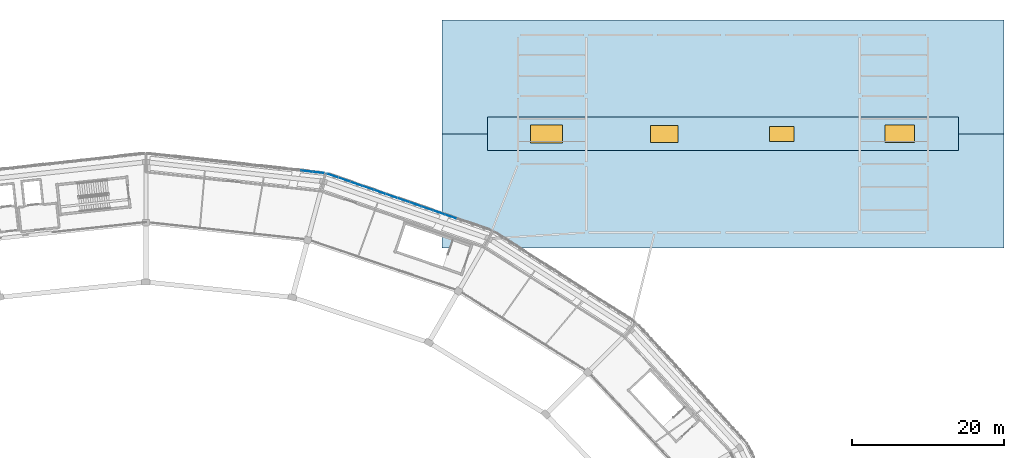
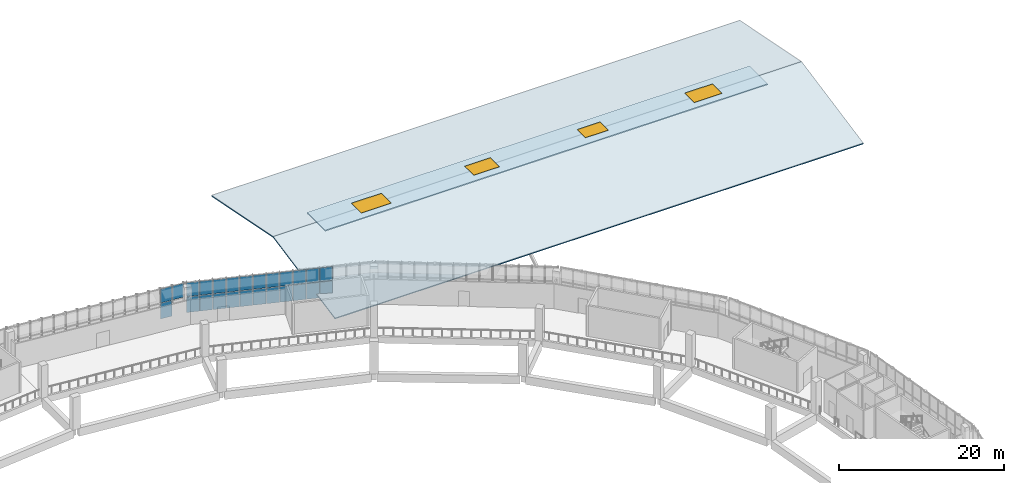
# One storey, part 65 of 108: 25 plates, 4 windows, 3 slabs, 4 openings, 2 elements without a shape of their own.
"""IFC4 building model written with IfcOpenShell, lengths in metres."""

from ifc_helpers import new_model, si_unit, direction, frame, origin, origin_2d, place, context, subcontext, project, spatial, polyline, rectangle, outline, extrude, material, layer, layer_set, type_object, element, fill, aggregate, save


model = new_model("IFC4")

# Units and contexts
model_context = context("Model", 3, precision=1e-05, world=origin(), true_north=direction((0.0, 1.0)))
body_context = subcontext(model_context, "Body", "Model", "MODEL_VIEW")
ifc_project = project(units=[si_unit("LENGTHUNIT", "METRE"), si_unit("AREAUNIT", "SQUARE_METRE"), si_unit("VOLUMEUNIT", "CUBIC_METRE"), si_unit("PLANEANGLEUNIT", "RADIAN"), si_unit("MASSUNIT", "GRAM", prefix="KILO")], contexts=[model_context])

# Site, building, storey
site_placement = place(None, origin())
site = spatial("IfcSite", under=ifc_project, at=site_placement, CompositionType="ELEMENT")
building_placement = place(site_placement, origin())
building = spatial("IfcBuilding", under=site, at=building_placement, Name="Zevraka Park Crest Stadium", CompositionType="ELEMENT")
storey_placement = place(building_placement, frame((0.0, 0.0, 19.800048828125)))
storey = spatial("IfcBuildingStorey", under=building, at=storey_placement, Name="L04", CompositionType="ELEMENT", Elevation=19.800048828125)

# Curtain wall, plates
ifc_material_1 = material(Name="Anodised architectural aluminium and laminated safety glass", Category="aluminium")
curtain_wall_type_1 = type_object("IfcCurtainWallType", Name="CW16", PredefinedType="NOTDEFINED", material=ifc_material_1)
curtain_wall_1_placement = place(storey_placement, origin())
curtain_wall_1 = element("IfcCurtainWall", 1, at=curtain_wall_1_placement, inside=storey, type_object=curtain_wall_type_1, Name="Unitised Ring Curtain Wall CW16 L04-05", PredefinedType="NOTDEFINED")
ifc_material_2 = material(Name="Solar-control laminated double glazing", Category="glass")
ifc_layer_1 = layer(ifc_material_2, 0.031982421875)
ifc_layer_set_1 = layer_set([ifc_layer_1], Name="Solar-control laminated double glazing")
plate_type_1 = type_object("IfcPlateType", Name="CP16", PredefinedType="CURTAIN_PANEL", material=ifc_layer_set_1)
plate_1_placement = place(storey_placement, frame((134.739013671875, 165.91650390625, 2.4296875), z_axis=(0.0, 0.0, 1.0), x_axis=(-0.993997152844, 0.109405941967, 0.0)))
plate_1 = element("IfcPlate", 2, at=plate_1_placement, type_object=plate_type_1, Name="CW16 panel 1.2", PredefinedType="CURTAIN_PANEL", context=body_context, shape_type="SweptSolid", body=[
    extrude(rectangle(XDim=1.479736328125, YDim=0.031982421875, at=origin_2d()), origin(), (0.0, 0.0, 1.0), 2.050048828125),
])
plate_2_placement = place(storey_placement, frame((133.193603515625, 166.086669921875, 0.059814453125), z_axis=(0.0, 0.0, 1.0), x_axis=(-0.993997152844, 0.109405941967, 0.0)))
plate_2 = element("IfcPlate", 3, at=plate_2_placement, type_object=plate_type_1, Name="CW16 panel 2.1", PredefinedType="CURTAIN_PANEL", context=body_context, shape_type="SweptSolid", body=[
    extrude(rectangle(XDim=1.509765625, YDim=0.031982421875, at=origin_2d()), origin(), (0.0, 0.0, 1.0), 2.31005859375),
])
plate_3_placement = place(storey_placement, frame((133.193603515625, 166.086669921875, 2.4296875), z_axis=(0.0, 0.0, 1.0), x_axis=(-0.993997152844, 0.109405941967, 0.0)))
plate_3 = element("IfcPlate", 4, at=plate_3_placement, type_object=plate_type_1, Name="CW16 panel 2.2", PredefinedType="CURTAIN_PANEL", context=body_context, shape_type="SweptSolid", body=[
    extrude(rectangle(XDim=1.509765625, YDim=0.031982421875, at=origin_2d()), origin(), (0.0, 0.0, 1.0), 2.050048828125),
])
aggregate(curtain_wall_1, [plate_1, plate_2, plate_3])

ifc_material_3 = material(Name="Anodised architectural aluminium and laminated safety glass", Category="aluminium")
curtain_wall_type_2 = type_object("IfcCurtainWallType", Name="CW17", PredefinedType="NOTDEFINED", material=ifc_material_3)
curtain_wall_2_placement = place(storey_placement, origin())
curtain_wall_2 = element("IfcCurtainWall", 5, at=curtain_wall_2_placement, inside=storey, type_object=curtain_wall_type_2, Name="Unitised Ring Curtain Wall CW17 L04-04", PredefinedType="NOTDEFINED")
ifc_material_4 = material(Name="Solar-control laminated double glazing", Category="glass")
ifc_layer_2 = layer(ifc_material_4, 0.031982421875)
ifc_layer_set_2 = layer_set([ifc_layer_2], Name="Solar-control laminated double glazing")
plate_type_2 = type_object("IfcPlateType", Name="CP17", PredefinedType="CURTAIN_PANEL", material=ifc_layer_set_2)
plate_4_placement = place(storey_placement, frame((152.14111328125, 160.108642578125, 0.06494140625), z_axis=(0.0, 0.0, 1.0), x_axis=(-0.944939691816, 0.327244524523, 0.0)))
plate_4 = element("IfcPlate", 6, at=plate_4_placement, type_object=plate_type_2, Name="CW17 panel 4.1", PredefinedType="CURTAIN_PANEL", context=body_context, shape_type="SweptSolid", body=[
    extrude(rectangle(XDim=1.583251953125, YDim=0.031982421875, at=origin_2d()), origin(), (0.0, 0.0, 1.0), 2.302490234375),
])
plate_5_placement = place(storey_placement, frame((152.14111328125, 160.108642578125, 2.432373046875), z_axis=(0.0, 0.0, 1.0), x_axis=(-0.944939691816, 0.327244524523, 0.0)))
plate_5 = element("IfcPlate", 7, at=plate_5_placement, type_object=plate_type_2, Name="CW17 panel 4.2", PredefinedType="CURTAIN_PANEL", context=body_context, shape_type="SweptSolid", body=[
    extrude(rectangle(XDim=1.583251953125, YDim=0.031982421875, at=origin_2d()), origin(), (0.0, 0.0, 1.0), 2.04248046875),
])
plate_6_placement = place(storey_placement, frame((150.58349609375, 160.648193359375, 0.06494140625), z_axis=(0.0, 0.0, 1.0), x_axis=(-0.944939691816, 0.327244524523, 0.0)))
plate_6 = element("IfcPlate", 8, at=plate_6_placement, type_object=plate_type_2, Name="CW17 panel 5.1", PredefinedType="CURTAIN_PANEL", context=body_context, shape_type="SweptSolid", body=[
    extrude(rectangle(XDim=1.583251953125, YDim=0.031982421875, at=origin_2d()), origin(), (0.0, 0.0, 1.0), 2.302490234375),
])
plate_7_placement = place(storey_placement, frame((150.58349609375, 160.648193359375, 2.432373046875), z_axis=(0.0, 0.0, 1.0), x_axis=(-0.944939691816, 0.327244524523, 0.0)))
plate_7 = element("IfcPlate", 9, at=plate_7_placement, type_object=plate_type_2, Name="CW17 panel 5.2", PredefinedType="CURTAIN_PANEL", context=body_context, shape_type="SweptSolid", body=[
    extrude(rectangle(XDim=1.583251953125, YDim=0.031982421875, at=origin_2d()), origin(), (0.0, 0.0, 1.0), 2.04248046875),
])
plate_8_placement = place(storey_placement, frame((149.026123046875, 161.1875, 0.06494140625), z_axis=(0.0, 0.0, 1.0), x_axis=(-0.944939691816, 0.327244524523, 0.0)))
plate_8 = element("IfcPlate", 10, at=plate_8_placement, type_object=plate_type_2, Name="CW17 panel 6.1", PredefinedType="CURTAIN_PANEL", context=body_context, shape_type="SweptSolid", body=[
    extrude(rectangle(XDim=1.583251953125, YDim=0.031982421875, at=origin_2d()), origin(), (0.0, 0.0, 1.0), 2.302490234375),
])
plate_9_placement = place(storey_placement, frame((149.026123046875, 161.1875, 2.432373046875), z_axis=(0.0, 0.0, 1.0), x_axis=(-0.944939691816, 0.327244524523, 0.0)))
plate_9 = element("IfcPlate", 11, at=plate_9_placement, type_object=plate_type_2, Name="CW17 panel 6.2", PredefinedType="CURTAIN_PANEL", context=body_context, shape_type="SweptSolid", body=[
    extrude(rectangle(XDim=1.583251953125, YDim=0.031982421875, at=origin_2d()), origin(), (0.0, 0.0, 1.0), 2.04248046875),
])
plate_10_placement = place(storey_placement, frame((147.46875, 161.726806640625, 0.06494140625), z_axis=(0.0, 0.0, 1.0), x_axis=(-0.944939691816, 0.327244524523, 0.0)))
plate_10 = element("IfcPlate", 12, at=plate_10_placement, type_object=plate_type_2, Name="CW17 panel 7.1", PredefinedType="CURTAIN_PANEL", context=body_context, shape_type="SweptSolid", body=[
    extrude(rectangle(XDim=1.583251953125, YDim=0.031982421875, at=origin_2d()), origin(), (0.0, 0.0, 1.0), 2.302490234375),
])
plate_11_placement = place(storey_placement, frame((147.46875, 161.726806640625, 2.432373046875), z_axis=(0.0, 0.0, 1.0), x_axis=(-0.944939691816, 0.327244524523, 0.0)))
plate_11 = element("IfcPlate", 13, at=plate_11_placement, type_object=plate_type_2, Name="CW17 panel 7.2", PredefinedType="CURTAIN_PANEL", context=body_context, shape_type="SweptSolid", body=[
    extrude(rectangle(XDim=1.583251953125, YDim=0.031982421875, at=origin_2d()), origin(), (0.0, 0.0, 1.0), 2.04248046875),
])
plate_12_placement = place(storey_placement, frame((145.911376953125, 162.26611328125, 0.06494140625), z_axis=(0.0, 0.0, 1.0), x_axis=(-0.944939691816, 0.327244524523, 0.0)))
plate_12 = element("IfcPlate", 14, at=plate_12_placement, type_object=plate_type_2, Name="CW17 panel 8.1", PredefinedType="CURTAIN_PANEL", context=body_context, shape_type="SweptSolid", body=[
    extrude(rectangle(XDim=1.583251953125, YDim=0.031982421875, at=origin_2d()), origin(), (0.0, 0.0, 1.0), 2.302490234375),
])
plate_13_placement = place(storey_placement, frame((145.911376953125, 162.26611328125, 2.432373046875), z_axis=(0.0, 0.0, 1.0), x_axis=(-0.944939691816, 0.327244524523, 0.0)))
plate_13 = element("IfcPlate", 15, at=plate_13_placement, type_object=plate_type_2, Name="CW17 panel 8.2", PredefinedType="CURTAIN_PANEL", context=body_context, shape_type="SweptSolid", body=[
    extrude(rectangle(XDim=1.583251953125, YDim=0.031982421875, at=origin_2d()), origin(), (0.0, 0.0, 1.0), 2.04248046875),
])
plate_14_placement = place(storey_placement, frame((144.353759765625, 162.805419921875, 0.06494140625), z_axis=(0.0, 0.0, 1.0), x_axis=(-0.944939691816, 0.327244524523, 0.0)))
plate_14 = element("IfcPlate", 16, at=plate_14_placement, type_object=plate_type_2, Name="CW17 panel 9.1", PredefinedType="CURTAIN_PANEL", context=body_context, shape_type="SweptSolid", body=[
    extrude(rectangle(XDim=1.583251953125, YDim=0.031982421875, at=origin_2d()), origin(), (0.0, 0.0, 1.0), 2.302490234375),
])
plate_15_placement = place(storey_placement, frame((144.353759765625, 162.805419921875, 2.432373046875), z_axis=(0.0, 0.0, 1.0), x_axis=(-0.944939691816, 0.327244524523, 0.0)))
plate_15 = element("IfcPlate", 17, at=plate_15_placement, type_object=plate_type_2, Name="CW17 panel 9.2", PredefinedType="CURTAIN_PANEL", context=body_context, shape_type="SweptSolid", body=[
    extrude(rectangle(XDim=1.583251953125, YDim=0.031982421875, at=origin_2d()), origin(), (0.0, 0.0, 1.0), 2.04248046875),
])
plate_16_placement = place(storey_placement, frame((142.79638671875, 163.344970703125, 0.06494140625), z_axis=(0.0, 0.0, 1.0), x_axis=(-0.944939691816, 0.327244524523, 0.0)))
plate_16 = element("IfcPlate", 18, at=plate_16_placement, type_object=plate_type_2, Name="CW17 panel 10.1", PredefinedType="CURTAIN_PANEL", context=body_context, shape_type="SweptSolid", body=[
    extrude(rectangle(XDim=1.583251953125, YDim=0.031982421875, at=origin_2d()), origin(), (0.0, 0.0, 1.0), 2.302490234375),
])
plate_17_placement = place(storey_placement, frame((142.79638671875, 163.344970703125, 2.432373046875), z_axis=(0.0, 0.0, 1.0), x_axis=(-0.944939691816, 0.327244524523, 0.0)))
plate_17 = element("IfcPlate", 19, at=plate_17_placement, type_object=plate_type_2, Name="CW17 panel 10.2", PredefinedType="CURTAIN_PANEL", context=body_context, shape_type="SweptSolid", body=[
    extrude(rectangle(XDim=1.583251953125, YDim=0.031982421875, at=origin_2d()), origin(), (0.0, 0.0, 1.0), 2.04248046875),
])
plate_18_placement = place(storey_placement, frame((141.239013671875, 163.88427734375, 0.06494140625), z_axis=(0.0, 0.0, 1.0), x_axis=(-0.944939691816, 0.327244524523, 0.0)))
plate_18 = element("IfcPlate", 20, at=plate_18_placement, type_object=plate_type_2, Name="CW17 panel 11.1", PredefinedType="CURTAIN_PANEL", context=body_context, shape_type="SweptSolid", body=[
    extrude(rectangle(XDim=1.583251953125, YDim=0.031982421875, at=origin_2d()), origin(), (0.0, 0.0, 1.0), 2.302490234375),
])
plate_19_placement = place(storey_placement, frame((141.239013671875, 163.88427734375, 2.432373046875), z_axis=(0.0, 0.0, 1.0), x_axis=(-0.944939691816, 0.327244524523, 0.0)))
plate_19 = element("IfcPlate", 21, at=plate_19_placement, type_object=plate_type_2, Name="CW17 panel 11.2", PredefinedType="CURTAIN_PANEL", context=body_context, shape_type="SweptSolid", body=[
    extrude(rectangle(XDim=1.583251953125, YDim=0.031982421875, at=origin_2d()), origin(), (0.0, 0.0, 1.0), 2.04248046875),
])
plate_20_placement = place(storey_placement, frame((139.681640625, 164.423583984375, 0.06494140625), z_axis=(0.0, 0.0, 1.0), x_axis=(-0.944939691816, 0.327244524523, 0.0)))
plate_20 = element("IfcPlate", 22, at=plate_20_placement, type_object=plate_type_2, Name="CW17 panel 12.1", PredefinedType="CURTAIN_PANEL", context=body_context, shape_type="SweptSolid", body=[
    extrude(rectangle(XDim=1.583251953125, YDim=0.031982421875, at=origin_2d()), origin(), (0.0, 0.0, 1.0), 2.302490234375),
])
plate_21_placement = place(storey_placement, frame((139.681640625, 164.423583984375, 2.432373046875), z_axis=(0.0, 0.0, 1.0), x_axis=(-0.944939691816, 0.327244524523, 0.0)))
plate_21 = element("IfcPlate", 23, at=plate_21_placement, type_object=plate_type_2, Name="CW17 panel 12.2", PredefinedType="CURTAIN_PANEL", context=body_context, shape_type="SweptSolid", body=[
    extrude(rectangle(XDim=1.583251953125, YDim=0.031982421875, at=origin_2d()), origin(), (0.0, 0.0, 1.0), 2.04248046875),
])
plate_22_placement = place(storey_placement, frame((138.1240234375, 164.962890625, 0.06494140625), z_axis=(0.0, 0.0, 1.0), x_axis=(-0.944939691816, 0.327244524523, 0.0)))
plate_22 = element("IfcPlate", 24, at=plate_22_placement, type_object=plate_type_2, Name="CW17 panel 13.1", PredefinedType="CURTAIN_PANEL", context=body_context, shape_type="SweptSolid", body=[
    extrude(rectangle(XDim=1.583251953125, YDim=0.031982421875, at=origin_2d()), origin(), (0.0, 0.0, 1.0), 2.302490234375),
])
plate_23_placement = place(storey_placement, frame((138.1240234375, 164.962890625, 2.432373046875), z_axis=(0.0, 0.0, 1.0), x_axis=(-0.944939691816, 0.327244524523, 0.0)))
plate_23 = element("IfcPlate", 25, at=plate_23_placement, type_object=plate_type_2, Name="CW17 panel 13.2", PredefinedType="CURTAIN_PANEL", context=body_context, shape_type="SweptSolid", body=[
    extrude(rectangle(XDim=1.583251953125, YDim=0.031982421875, at=origin_2d()), origin(), (0.0, 0.0, 1.0), 2.04248046875),
])
plate_24_placement = place(storey_placement, frame((136.58203125, 165.4970703125, 0.06494140625), z_axis=(0.0, 0.0, 1.0), x_axis=(-0.944939691816, 0.327244524523, 0.0)))
plate_24 = element("IfcPlate", 26, at=plate_24_placement, type_object=plate_type_2, Name="CW17 panel 14.1", PredefinedType="CURTAIN_PANEL", context=body_context, shape_type="SweptSolid", body=[
    extrude(rectangle(XDim=1.55078125, YDim=0.031982421875, at=origin_2d()), origin(), (0.0, 0.0, 1.0), 2.302490234375),
])
plate_25_placement = place(storey_placement, frame((136.58203125, 165.4970703125, 2.432373046875), z_axis=(0.0, 0.0, 1.0), x_axis=(-0.944939691816, 0.327244524523, 0.0)))
plate_25 = element("IfcPlate", 27, at=plate_25_placement, type_object=plate_type_2, Name="CW17 panel 14.2", PredefinedType="CURTAIN_PANEL", context=body_context, shape_type="SweptSolid", body=[
    extrude(rectangle(XDim=1.55078125, YDim=0.031982421875, at=origin_2d()), origin(), (0.0, 0.0, 1.0), 2.04248046875),
])
aggregate(curtain_wall_2, [plate_4, plate_5, plate_6, plate_7, plate_8, plate_9, plate_10, plate_11, plate_12, plate_13, plate_14, plate_15, plate_16, plate_17, plate_18, plate_19, plate_20, plate_21, plate_22, plate_23, plate_24, plate_25])

# Slabs
ifc_material_5 = material(Name="Concrete C35/45", Category="concrete")
ifc_layer_3 = layer(ifc_material_5, 0.159912109375)
ifc_layer_set_3 = layer_set([ifc_layer_3], Name="Concrete C35/45")
slab_type = type_object("IfcSlabType", Name="RS02", PredefinedType="ROOF", material=ifc_layer_set_3)
for number, where, z_axis, x_axis, name in (
    (28, (151.0, 156.0, -0.179931640625), (0.0, -0.194857269141, 0.980831608719), (1.0, 0.0, 0.0), "Pitched Pavilion Roof Slab RS02 NGATE-ROOF-S"),
    (29, (225.0, 186.0, -0.179931640625), (0.0, 0.194857269141, 0.980831608719), (-1.0, 0.0, 0.0), "Pitched Pavilion Roof Slab RS02 NGATE-ROOF-N"),
):
    element("IfcSlab", number, at=place(storey_placement, frame(where, z_axis=z_axis, x_axis=x_axis)), inside=storey, type_object=slab_type, Name=name, PredefinedType="ROOF", context=body_context, shape_type="SweptSolid", body=[
        extrude(outline(polyline([(0.0, 0.0), (74.0, 0.0), (74.0, 15.293144987023812), (0.0, 15.293144987023812), (0.0, 0.0)])), origin(), (0.0, 0.0, -1.0), 0.159912109375),
    ])

# Slab, openings, windows
slab_placement = place(storey_placement, frame((0.0, 0.0, 2.800048828125)))
slab = element("IfcSlab", 30, at=slab_placement, inside=storey, type_object=slab_type, Name="Ridge Skylight Curb Roof Slab NGATE-ROOF", PredefinedType="ROOF", context=body_context, shape_type="SweptSolid", body=[
    extrude(outline(polyline([(157.0, 168.800048828125), (219.0, 168.800048828125), (219.0, 173.199951171875), (157.0, 173.199951171875), (157.0, 168.800048828125)])), origin(), (0.0, 0.0, 1.0), 0.159912109375),
])
opening_1_placement = place(slab_placement, frame((164.75, 171.0, 0.0)))
opening_1 = element("IfcOpeningElement", 31, at=opening_1_placement, cuts=slab, Name="Opening SK01", PredefinedType="OPENING", context=body_context, shape_type="SweptSolid", body=[
    extrude(rectangle(XDim=4.199951171875, YDim=2.39990234375, at=origin_2d()), origin(), (0.0, 0.0, 1.0), 0.159912109375),
])
opening_2_placement = place(slab_placement, frame((180.25, 171.0, 0.0)))
opening_2 = element("IfcOpeningElement", 32, at=opening_2_placement, cuts=slab, Name="Opening SK02", PredefinedType="OPENING", context=body_context, shape_type="SweptSolid", body=[
    extrude(rectangle(XDim=3.60009765625, YDim=2.199951171875, at=origin_2d()), origin(), (0.0, 0.0, 1.0), 0.159912109375),
])
opening_3_placement = place(slab_placement, frame((195.75, 171.0, 0.0)))
opening_3 = element("IfcOpeningElement", 33, at=opening_3_placement, cuts=slab, Name="Opening SK04", PredefinedType="OPENING", context=body_context, shape_type="SweptSolid", body=[
    extrude(rectangle(XDim=3.199951171875, YDim=2.0, at=origin_2d()), origin(), (0.0, 0.0, 1.0), 0.159912109375),
])
opening_4_placement = place(slab_placement, frame((211.25, 171.0, 0.0)))
opening_4 = element("IfcOpeningElement", 34, at=opening_4_placement, cuts=slab, Name="Opening SK05", PredefinedType="OPENING", context=body_context, shape_type="SweptSolid", body=[
    extrude(rectangle(XDim=3.89990234375, YDim=2.300048828125, at=origin_2d()), origin(), (0.0, 0.0, 1.0), 0.159912109375),
])
ifc_material_6 = material(Name="Solar-control laminated double glazing in aluminium frame", Category="aluminium")
window_type_1 = type_object("IfcWindowType", Name="SK01", PartitioningType="SINGLE_PANEL", PredefinedType="SKYLIGHT", material=ifc_material_6)
window_1_placement = place(opening_1_placement, frame((0.0, 0.0, 0.10986328125)))
window_1 = element("IfcWindow", 35, at=window_1_placement, inside=storey, type_object=window_type_1, Name="Pavilion Ridge Skylight SK01 SKY-01", OverallHeight=2.39990234375, OverallWidth=4.199951171875, PartitioningType="SINGLE_PANEL", PredefinedType="SKYLIGHT", context=body_context, shape_type="SweptSolid", body=[
    extrude(rectangle(XDim=4.199951171875, YDim=2.39990234375, at=origin_2d()), origin(), (0.0, 0.0, 1.0), 0.050048828125),
])
fill(opening_1, window_1)
ifc_material_7 = material(Name="Solar-control laminated double glazing in aluminium frame", Category="aluminium")
window_type_2 = type_object("IfcWindowType", Name="SK02", PartitioningType="SINGLE_PANEL", PredefinedType="SKYLIGHT", material=ifc_material_7)
window_2_placement = place(opening_2_placement, frame((0.0, 0.0, 0.10986328125)))
window_2 = element("IfcWindow", 36, at=window_2_placement, inside=storey, type_object=window_type_2, Name="Pavilion Ridge Skylight SK02 SKY-02", OverallHeight=2.199951171875, OverallWidth=3.60009765625, PartitioningType="SINGLE_PANEL", PredefinedType="SKYLIGHT", context=body_context, shape_type="SweptSolid", body=[
    extrude(rectangle(XDim=3.60009765625, YDim=2.199951171875, at=origin_2d()), origin(), (0.0, 0.0, 1.0), 0.050048828125),
])
fill(opening_2, window_2)
ifc_material_8 = material(Name="Solar-control laminated double glazing in aluminium frame", Category="aluminium")
window_type_3 = type_object("IfcWindowType", Name="SK04", PartitioningType="SINGLE_PANEL", PredefinedType="SKYLIGHT", material=ifc_material_8)
window_3_placement = place(opening_3_placement, frame((0.0, 0.0, 0.10986328125)))
window_3 = element("IfcWindow", 37, at=window_3_placement, inside=storey, type_object=window_type_3, Name="Pavilion Ridge Skylight SK04 SKY-03", OverallHeight=2.0, OverallWidth=3.199951171875, PartitioningType="SINGLE_PANEL", PredefinedType="SKYLIGHT", context=body_context, shape_type="SweptSolid", body=[
    extrude(rectangle(XDim=3.199951171875, YDim=2.0, at=origin_2d()), origin(), (0.0, 0.0, 1.0), 0.050048828125),
])
fill(opening_3, window_3)
ifc_material_9 = material(Name="Solar-control laminated double glazing in aluminium frame", Category="aluminium")
window_type_4 = type_object("IfcWindowType", Name="SK05", PartitioningType="SINGLE_PANEL", PredefinedType="SKYLIGHT", material=ifc_material_9)
window_4_placement = place(opening_4_placement, frame((0.0, 0.0, 0.10986328125)))
window_4 = element("IfcWindow", 38, at=window_4_placement, inside=storey, type_object=window_type_4, Name="Pavilion Ridge Skylight SK05 SKY-04", OverallHeight=2.300048828125, OverallWidth=3.89990234375, PartitioningType="SINGLE_PANEL", PredefinedType="SKYLIGHT", context=body_context, shape_type="SweptSolid", body=[
    extrude(rectangle(XDim=3.89990234375, YDim=2.300048828125, at=origin_2d()), origin(), (0.0, 0.0, 1.0), 0.050048828125),
])
fill(opening_4, window_4)

save(model, "model.ifc")
